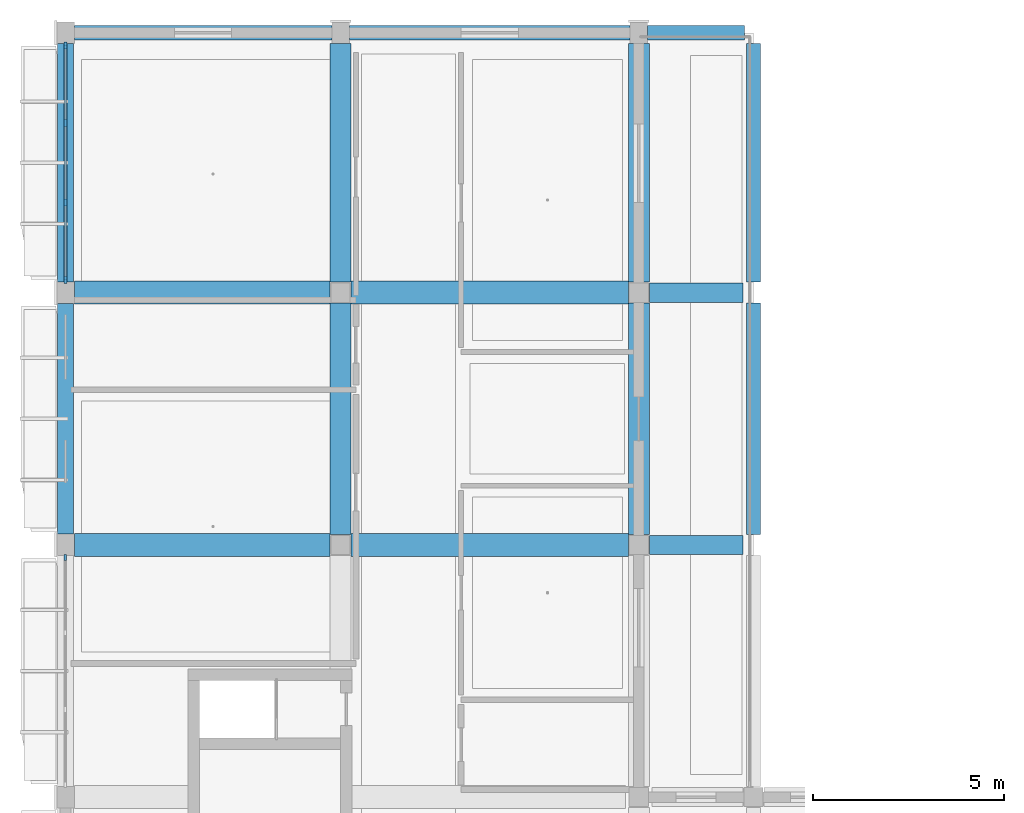
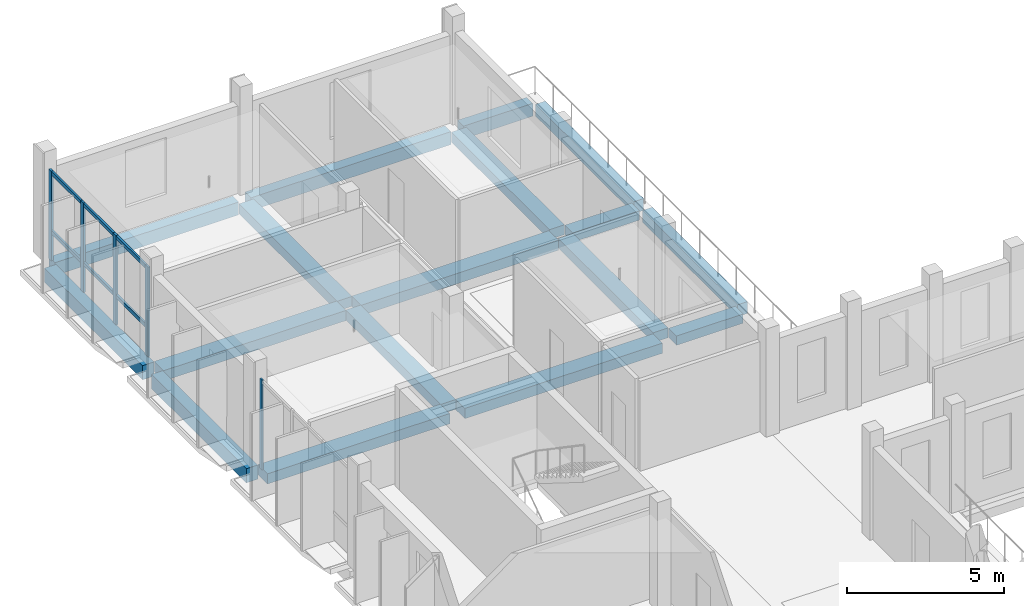
# One storey, part 15 of 85: 17 beams, 7 members, 2 elements without a shape of their own.
"""IFC4 building model written with IfcOpenShell, lengths in metres."""

from ifc_helpers import new_model, si_unit, derived_unit, direction, frame, origin, origin_2d, place, context, subcontext, project, spatial, rectangle, extrude, material, material_profile, profile_set, type_object, element, aggregate, save


model = new_model("IFC4")

# Units and contexts
model_context = context("Model", 3, precision=1e-05, world=origin(), true_north=direction((0.0, 1.0)))
body_context = subcontext(model_context, "Body", "Model", "MODEL_VIEW")
ifc_project = project(units=[si_unit("LENGTHUNIT", "METRE"), si_unit("AREAUNIT", "SQUARE_METRE"), si_unit("VOLUMEUNIT", "CUBIC_METRE"), si_unit("PLANEANGLEUNIT", "RADIAN"), si_unit("MASSUNIT", "GRAM", prefix="KILO"), derived_unit("THERMALTRANSMITTANCEUNIT", [(si_unit("POWERUNIT", "WATT"), 1), (si_unit("LENGTHUNIT", "METRE"), -2), (si_unit("THERMODYNAMICTEMPERATUREUNIT", "KELVIN"), -1)])], contexts=[model_context])

# Site, building, storey
site_placement = place(None, origin())
site = spatial("IfcSite", under=ifc_project, at=site_placement, CompositionType="ELEMENT")
building_placement = place(site_placement, origin())
building = spatial("IfcBuilding", under=site, at=building_placement, Name="Braskholm Square Health Centre", CompositionType="ELEMENT")
storey_placement = place(building_placement, frame((0.0, 0.0, 9.300048828125)))
storey = spatial("IfcBuildingStorey", under=building, at=storey_placement, Name="L03", CompositionType="ELEMENT", Elevation=9.300048828125)

# Curtain wall, member
ifc_material_1 = material(Name="Low-E triple insulating glass (VLT 0.64)", Category="glass")
curtain_wall_type = type_object("IfcCurtainWallType", Name="UnitisedCurtainWall6200x3650", PredefinedType="NOTDEFINED", material=ifc_material_1)
curtain_wall_1_placement = place(storey_placement, origin())
curtain_wall_1 = element("IfcCurtainWall", 1, at=curtain_wall_1_placement, inside=storey, type_object=curtain_wall_type, Name="West Outer unitised curtain wall CW-L03-0020", PredefinedType="NOTDEFINED")
ifc_material_2 = material(Name="Architectural bronze anodised aluminium", Category="aluminium")
ifc_material_profile_1 = material_profile(ifc_material_2, rectangle(XDim=0.06494140625, YDim=0.14990234375, at=origin_2d()), Name="ALU-65X150")
ifc_profile_set_1 = profile_set([ifc_material_profile_1], Name="Architectural bronze anodised aluminium")
member_type_1 = type_object("IfcMemberType", Name="CurtainWallMullion65x150", PredefinedType="MULLION", material=ifc_profile_set_1)
member_1_placement = place(storey_placement, frame((4.199951171875, 100.073974609375, 0.0), z_axis=(0.0, 0.0, 1.0), x_axis=(1.0, 0.0, 0.0)))
member_1 = element("IfcMember", 2, at=member_1_placement, type_object=member_type_1, Name="CW-L03-0020 vertical mullion 1", PredefinedType="MULLION", context=body_context, shape_type="SweptSolid", body=[
    extrude(rectangle(XDim=0.06494140625, YDim=0.14990234375, at=origin_2d()), origin(), (0.0, 0.0, 1.0), 3.47998046875),
])
aggregate(curtain_wall_1, [member_1])

# Curtain wall, members
curtain_wall_2_placement = place(storey_placement, origin())
curtain_wall_2 = element("IfcCurtainWall", 3, at=curtain_wall_2_placement, inside=storey, type_object=curtain_wall_type, Name="West Outer unitised curtain wall CW-L03-0021", PredefinedType="NOTDEFINED")
ifc_material_profile_2 = material_profile(ifc_material_2, rectangle(XDim=0.074951171875, YDim=0.179931640625, at=origin_2d()), Name="ALU-75X180")
ifc_profile_set_2 = profile_set([ifc_material_profile_2], Name="Architectural bronze anodised aluminium")
member_type_2 = type_object("IfcMemberType", Name="CurtainWallMullion75x180", PredefinedType="MULLION", material=ifc_profile_set_2)
member_2_placement = place(storey_placement, frame((4.199951171875, 113.47265625, 0.0), z_axis=(0.0, 0.0, 1.0), x_axis=(1.0, 0.0, 0.0)))
member_2 = element("IfcMember", 4, at=member_2_placement, type_object=member_type_2, Name="CW-L03-0021 vertical mullion 1", PredefinedType="MULLION", context=body_context, shape_type="SweptSolid", body=[
    extrude(rectangle(XDim=0.074951171875, YDim=0.179931640625, at=origin_2d()), origin(), (0.0, 0.0, 1.0), 3.47998046875),
])
member_3_placement = place(storey_placement, frame((4.199951171875, 111.436767578125, 0.0), z_axis=(0.0, 0.0, 1.0), x_axis=(1.0, 0.0, 0.0)))
member_3 = element("IfcMember", 5, at=member_3_placement, type_object=member_type_2, Name="CW-L03-0021 vertical mullion 2", PredefinedType="MULLION", context=body_context, shape_type="SweptSolid", body=[
    extrude(rectangle(XDim=0.074951171875, YDim=0.179931640625, at=origin_2d()), origin(), (0.0, 0.0, 1.0), 3.47998046875),
])
member_4_placement = place(storey_placement, frame((4.199951171875, 109.36328125, 0.0), z_axis=(0.0, 0.0, 1.0), x_axis=(1.0, 0.0, 0.0)))
member_4 = element("IfcMember", 6, at=member_4_placement, type_object=member_type_2, Name="CW-L03-0021 vertical mullion 3", PredefinedType="MULLION", context=body_context, shape_type="SweptSolid", body=[
    extrude(rectangle(XDim=0.074951171875, YDim=0.179931640625, at=origin_2d()), origin(), (0.0, 0.0, 1.0), 3.47998046875),
])
member_5_placement = place(storey_placement, frame((4.199951171875, 107.327392578125, 0.0), z_axis=(0.0, 0.0, 1.0), x_axis=(1.0, 0.0, 0.0)))
member_5 = element("IfcMember", 7, at=member_5_placement, type_object=member_type_2, Name="CW-L03-0021 vertical mullion 4", PredefinedType="MULLION", context=body_context, shape_type="SweptSolid", body=[
    extrude(rectangle(XDim=0.074951171875, YDim=0.179931640625, at=origin_2d()), origin(), (0.0, 0.0, 1.0), 3.47998046875),
])
ifc_material_profile_3 = material_profile(ifc_material_2, rectangle(XDim=0.074951171875, YDim=0.139892578125, at=origin_2d()), Name="ALU-75X140")
ifc_profile_set_3 = profile_set([ifc_material_profile_3], Name="Architectural bronze anodised aluminium")
member_type_3 = type_object("IfcMemberType", Name="CurtainWallTransom75x140", PredefinedType="USERDEFINED", material=ifc_profile_set_3)
member_6_placement = place(storey_placement, frame((4.199951171875, 113.465087890625, 1.119873046875), z_axis=(0.0, -1.0, 0.0), x_axis=(1.0, 0.0, 0.0)))
member_6 = element("IfcMember", 8, at=member_6_placement, type_object=member_type_3, Name="CW-L03-0021 horizontal transom 1", ObjectType="TRANSOM", PredefinedType="USERDEFINED", context=body_context, shape_type="SweptSolid", body=[
    extrude(rectangle(XDim=0.074951171875, YDim=0.139892578125, at=origin_2d()), origin(), (0.0, 0.0, 1.0), 6.130126953125),
])
member_7_placement = place(storey_placement, frame((4.199951171875, 113.465087890625, 3.409912109375), z_axis=(0.0, -1.0, 0.0), x_axis=(1.0, 0.0, 0.0)))
member_7 = element("IfcMember", 9, at=member_7_placement, type_object=member_type_3, Name="CW-L03-0021 horizontal transom 2", ObjectType="TRANSOM", PredefinedType="USERDEFINED", context=body_context, shape_type="SweptSolid", body=[
    extrude(rectangle(XDim=0.074951171875, YDim=0.139892578125, at=origin_2d()), origin(), (0.0, 0.0, 1.0), 6.130126953125),
])
aggregate(curtain_wall_2, [member_2, member_3, member_4, member_5, member_6, member_7])

# Beams
ifc_material_3 = material(Name="Concrete C35/45 (f'c = 35 MPa)", Category="concrete")
ifc_material_profile_4 = material_profile(ifc_material_3, rectangle(XDim=0.5, YDim=0.360107421875, at=origin_2d()), Name="RCB-500X360")
ifc_profile_set_4 = profile_set([ifc_material_profile_4], Name="Concrete C35/45 (f'c = 35 MPa)")
beam_type_1 = type_object("IfcBeamType", Name="PrimaryBandBeam500x360", PredefinedType="BEAM", material=ifc_profile_set_4)
for number, where, z_axis, x_axis, name in (
    (10, (19.47509765625, 100.39990234375, -0.429931640625), (1.0, 0.0, 0.0), (0.0, 1.0, 0.0), "Beam 3-4/Q L03"),
    (11, (19.47509765625, 107.0, -0.429931640625), (1.0, 0.0, 0.0), (0.0, 1.0, 0.0), "Beam 3-4/R L03"),
):
    element("IfcBeam", number, at=place(storey_placement, frame(where, z_axis=z_axis, x_axis=x_axis)), inside=storey, type_object=beam_type_1, Name=name, PredefinedType="BEAM", context=body_context, shape_type="SweptSolid", body=[
        extrude(rectangle(XDim=0.5, YDim=0.360107421875, at=origin_2d()), origin(), (0.0, 0.0, 1.0), 2.449951171875),
    ])
ifc_material_profile_5 = material_profile(ifc_material_3, rectangle(XDim=0.550048828125, YDim=0.3798828125, at=origin_2d()), Name="RCB-550X380")
ifc_profile_set_5 = profile_set([ifc_material_profile_5], Name="Concrete C35/45 (f'c = 35 MPa)")
beam_type_2 = type_object("IfcBeamType", Name="PrimaryBandBeam550x380", PredefinedType="BEAM", material=ifc_profile_set_5)
beam_1_placement = place(storey_placement, frame((11.39990234375, 100.675048828125, -0.489990234375), z_axis=(0.0, 1.0, 0.0), x_axis=(-1.0, 0.0, 0.0)))
element("IfcBeam", 12, at=beam_1_placement, inside=storey, type_object=beam_type_2, Name="Beam 2/Q-R L03", PredefinedType="BEAM", context=body_context, shape_type="SweptSolid", body=[
    extrude(rectangle(XDim=0.550048828125, YDim=0.3798828125, at=origin_2d()), origin(), (0.0, 0.0, 1.0), 6.050048828125),
])
beam_2_placement = place(storey_placement, frame((11.39990234375, 107.27490234375, -0.489990234375), z_axis=(0.0, 1.0, 0.0), x_axis=(-1.0, 0.0, 0.0)))
element("IfcBeam", 13, at=beam_2_placement, inside=storey, type_object=beam_type_2, Name="Beam 2/R-S L03", PredefinedType="BEAM", context=body_context, shape_type="SweptSolid", body=[
    extrude(rectangle(XDim=0.550048828125, YDim=0.3798828125, at=origin_2d()), origin(), (0.0, 0.0, 1.0), 6.2451171875),
])
beam_3_placement = place(storey_placement, frame((19.199951171875, 100.675048828125, -0.43994140625), z_axis=(0.0, 1.0, 0.0), x_axis=(-1.0, 0.0, 0.0)))
element("IfcBeam", 14, at=beam_3_placement, inside=storey, type_object=beam_type_2, Name="Beam 3/Q-R L03", PredefinedType="BEAM", context=body_context, shape_type="SweptSolid", body=[
    extrude(rectangle(XDim=0.550048828125, YDim=0.3798828125, at=origin_2d()), origin(), (0.0, 0.0, 1.0), 6.050048828125),
])
beam_4_placement = place(storey_placement, frame((19.199951171875, 107.27490234375, -0.43994140625), z_axis=(0.0, 1.0, 0.0), x_axis=(-1.0, 0.0, 0.0)))
element("IfcBeam", 15, at=beam_4_placement, inside=storey, type_object=beam_type_2, Name="Beam 3/R-S L03", PredefinedType="BEAM", context=body_context, shape_type="SweptSolid", body=[
    extrude(rectangle(XDim=0.550048828125, YDim=0.3798828125, at=origin_2d()), origin(), (0.0, 0.0, 1.0), 6.2451171875),
])
ifc_material_profile_6 = material_profile(ifc_material_3, rectangle(XDim=0.60009765625, YDim=0.39990234375, at=origin_2d()), Name="RCB-600X400")
ifc_profile_set_6 = profile_set([ifc_material_profile_6], Name="Concrete C35/45 (f'c = 35 MPa)")
beam_type_3 = type_object("IfcBeamType", Name="PrimaryBandBeam600x400", PredefinedType="BEAM", material=ifc_profile_set_6)
beam_5_placement = place(storey_placement, frame((4.429931640625, 100.39990234375, -0.5), z_axis=(1.0, 0.0, 0.0), x_axis=(0.0, 1.0, 0.0)))
element("IfcBeam", 16, at=beam_5_placement, inside=storey, type_object=beam_type_3, Name="Beam 1-2/Q L03", PredefinedType="BEAM", context=body_context, shape_type="SweptSolid", body=[
    extrude(rectangle(XDim=0.60009765625, YDim=0.39990234375, at=origin_2d()), origin(), (0.0, 0.0, 1.0), 6.695068359375),
])
beam_6_placement = place(storey_placement, frame((11.675048828125, 100.39990234375, -0.5), z_axis=(1.0, 0.0, 0.0), x_axis=(0.0, 1.0, 0.0)))
element("IfcBeam", 17, at=beam_6_placement, inside=storey, type_object=beam_type_3, Name="Beam 2-3/Q L03", PredefinedType="BEAM", context=body_context, shape_type="SweptSolid", body=[
    extrude(rectangle(XDim=0.60009765625, YDim=0.39990234375, at=origin_2d()), origin(), (0.0, 0.0, 1.0), 7.25),
])
beam_7_placement = place(storey_placement, frame((4.429931640625, 107.0, -0.5), z_axis=(1.0, 0.0, 0.0), x_axis=(0.0, 1.0, 0.0)))
element("IfcBeam", 18, at=beam_7_placement, inside=storey, type_object=beam_type_3, Name="Beam 1-2/R L03", PredefinedType="BEAM", context=body_context, shape_type="SweptSolid", body=[
    extrude(rectangle(XDim=0.60009765625, YDim=0.39990234375, at=origin_2d()), origin(), (0.0, 0.0, 1.0), 6.695068359375),
])
beam_8_placement = place(storey_placement, frame((11.675048828125, 107.0, -0.5), z_axis=(1.0, 0.0, 0.0), x_axis=(0.0, 1.0, 0.0)))
element("IfcBeam", 19, at=beam_8_placement, inside=storey, type_object=beam_type_3, Name="Beam 2-3/R L03", PredefinedType="BEAM", context=body_context, shape_type="SweptSolid", body=[
    extrude(rectangle(XDim=0.60009765625, YDim=0.39990234375, at=origin_2d()), origin(), (0.0, 0.0, 1.0), 7.25),
])
ifc_material_4 = material(Name="Precast concrete C40/50 architectural white", Category="concrete")
ifc_material_profile_7 = material_profile(ifc_material_4, rectangle(XDim=0.3798828125, YDim=0.5, at=origin_2d()), Name="RCB-380X500")
ifc_profile_set_7 = profile_set([ifc_material_profile_7], Name="Precast concrete C40/50 architectural white")
beam_type_4 = type_object("IfcBeamType", Name="SpandrelPrecastEdge380x500", PredefinedType="SPANDREL", material=ifc_profile_set_7)
beam_9_placement = place(storey_placement, frame((4.429931640625, 113.800048828125, -0.550048828125), z_axis=(1.0, 0.0, 0.0), x_axis=(0.0, 1.0, 0.0)))
element("IfcBeam", 20, at=beam_9_placement, inside=storey, type_object=beam_type_4, Name="Beam 1-2/S L03", PredefinedType="SPANDREL", context=body_context, shape_type="SweptSolid", body=[
    extrude(rectangle(XDim=0.3798828125, YDim=0.5, at=origin_2d()), origin(), (0.0, 0.0, 1.0), 6.739990234375),
])
beam_10_placement = place(storey_placement, frame((11.6298828125, 113.800048828125, -0.550048828125), z_axis=(1.0, 0.0, 0.0), x_axis=(0.0, 1.0, 0.0)))
element("IfcBeam", 21, at=beam_10_placement, inside=storey, type_object=beam_type_4, Name="Beam 2-3/S L03", PredefinedType="SPANDREL", context=body_context, shape_type="SweptSolid", body=[
    extrude(rectangle(XDim=0.3798828125, YDim=0.5, at=origin_2d()), origin(), (0.0, 0.0, 1.0), 7.340087890625),
])
beam_11_placement = place(storey_placement, frame((19.429931640625, 113.800048828125, -0.5), z_axis=(1.0, 0.0, 0.0), x_axis=(0.0, 1.0, 0.0)))
element("IfcBeam", 22, at=beam_11_placement, inside=storey, type_object=beam_type_4, Name="Beam 3-4/S L03", PredefinedType="SPANDREL", context=body_context, shape_type="SweptSolid", body=[
    extrude(rectangle(XDim=0.3798828125, YDim=0.5, at=origin_2d()), origin(), (0.0, 0.0, 1.0), 2.5400390625),
])
ifc_material_profile_8 = material_profile(ifc_material_4, rectangle(XDim=0.419921875, YDim=0.550048828125, at=origin_2d()), Name="RCB-420X550")
ifc_profile_set_8 = profile_set([ifc_material_profile_8], Name="Precast concrete C40/50 architectural white")
beam_type_5 = type_object("IfcBeamType", Name="SpandrelPrecastLedge420x550", PredefinedType="SPANDREL", material=ifc_profile_set_8)
beam_12_placement = place(storey_placement, frame((4.199951171875, 100.679931640625, -0.574951171875), z_axis=(0.0, 1.0, 0.0), x_axis=(-1.0, 0.0, 0.0)))
element("IfcBeam", 23, at=beam_12_placement, inside=storey, type_object=beam_type_5, Name="Beam 1/Q-R L03", PredefinedType="SPANDREL", context=body_context, shape_type="SweptSolid", body=[
    extrude(rectangle(XDim=0.419921875, YDim=0.550048828125, at=origin_2d()), origin(), (0.0, 0.0, 1.0), 6.0400390625),
])
beam_13_placement = place(storey_placement, frame((4.199951171875, 107.280029296875, -0.574951171875), z_axis=(0.0, 1.0, 0.0), x_axis=(-1.0, 0.0, 0.0)))
element("IfcBeam", 24, at=beam_13_placement, inside=storey, type_object=beam_type_5, Name="Beam 1/R-S L03", PredefinedType="SPANDREL", context=body_context, shape_type="SweptSolid", body=[
    extrude(rectangle(XDim=0.419921875, YDim=0.550048828125, at=origin_2d()), origin(), (0.0, 0.0, 1.0), 6.239990234375),
])
ifc_material_profile_9 = material_profile(ifc_material_4, rectangle(XDim=0.360107421875, YDim=0.4599609375, at=origin_2d()), Name="RCB-360X460")
ifc_profile_set_9 = profile_set([ifc_material_profile_9], Name="Precast concrete C40/50 architectural white")
beam_type_6 = type_object("IfcBeamType", Name="SpandrelTerraceEdge360x460", PredefinedType="SPANDREL", material=ifc_profile_set_9)
beam_14_placement = place(storey_placement, frame((22.199951171875, 100.675048828125, -0.47998046875), z_axis=(0.0, 1.0, 0.0), x_axis=(-1.0, 0.0, 0.0)))
element("IfcBeam", 25, at=beam_14_placement, inside=storey, type_object=beam_type_6, Name="Beam 4/Q-R L03", PredefinedType="SPANDREL", context=body_context, shape_type="SweptSolid", body=[
    extrude(rectangle(XDim=0.360107421875, YDim=0.4599609375, at=origin_2d()), origin(), (0.0, 0.0, 1.0), 6.050048828125),
])
beam_15_placement = place(storey_placement, frame((22.199951171875, 107.27490234375, -0.47998046875), z_axis=(0.0, 1.0, 0.0), x_axis=(-1.0, 0.0, 0.0)))
element("IfcBeam", 26, at=beam_15_placement, inside=storey, type_object=beam_type_6, Name="Beam 4/R-S L03", PredefinedType="SPANDREL", context=body_context, shape_type="SweptSolid", body=[
    extrude(rectangle(XDim=0.360107421875, YDim=0.4599609375, at=origin_2d()), origin(), (0.0, 0.0, 1.0), 6.2451171875),
])

save(model, "model.ifc")
